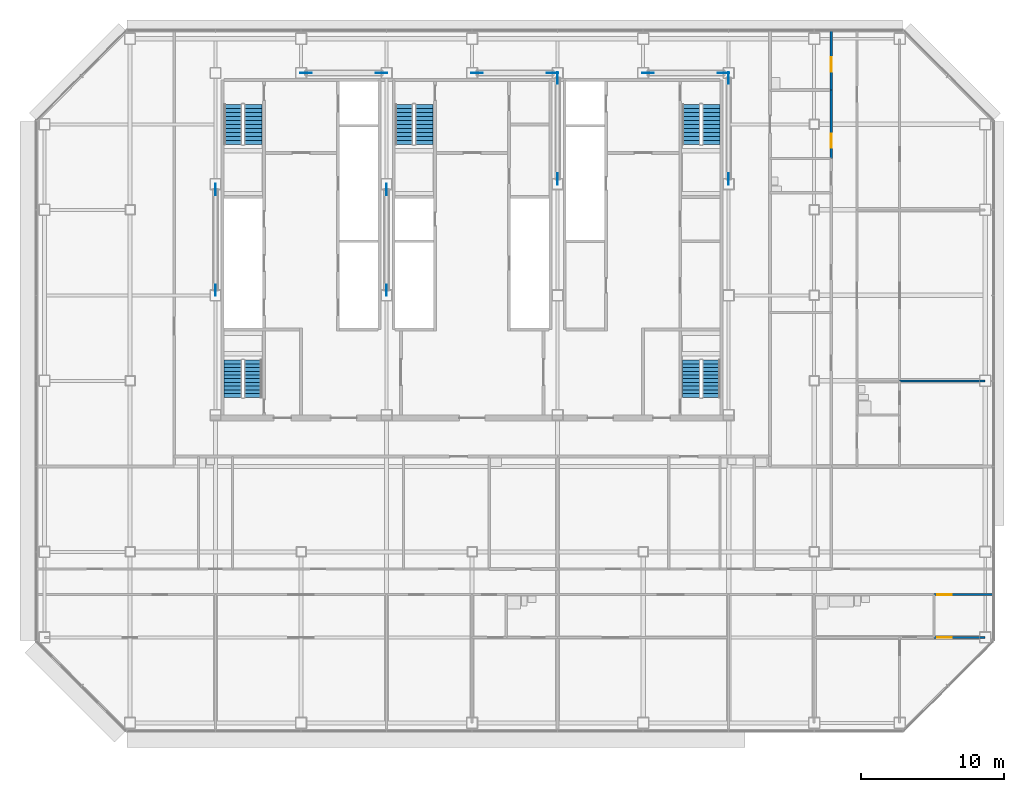
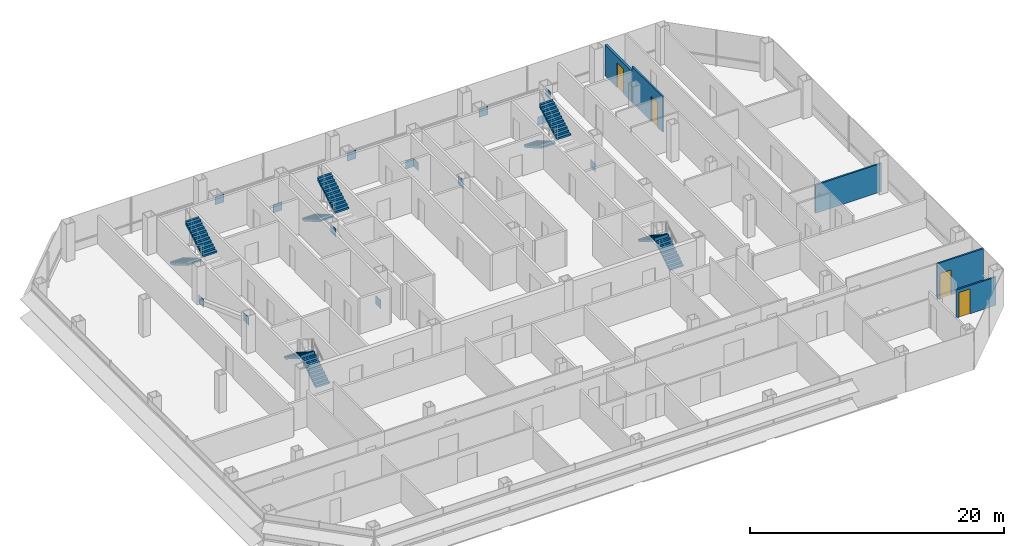
# One storey, part 23 of 25: 14 discrete accessories, 10 stair flights, 5 walls, 4 doors, 4 openings, 5 elements without a shape of their own.
"""IFC4 building model written with IfcOpenShell, lengths in metres."""

from ifc_helpers import new_model, si_unit, direction, frame, frame_2d, origin, origin_2d, place, context, subcontext, project, spatial, polyline, rectangle, outline, extrude, material, layer, layer_set, type_object, element, fill, aggregate, save


model = new_model("IFC4")

# Units and contexts
model_context = context("Model", 3, precision=1e-05, world=origin(), true_north=direction((0.0, 1.0)))
body_context = subcontext(model_context, "Body", "Model", "MODEL_VIEW")
ifc_project = project(units=[si_unit("LENGTHUNIT", "METRE"), si_unit("AREAUNIT", "SQUARE_METRE"), si_unit("VOLUMEUNIT", "CUBIC_METRE"), si_unit("PLANEANGLEUNIT", "RADIAN"), si_unit("MASSUNIT", "GRAM", prefix="KILO")], contexts=[model_context])

# Site, building, storey
site_placement = place(None, origin())
site = spatial("IfcSite", under=ifc_project, at=site_placement, CompositionType="ELEMENT")
building_placement = place(site_placement, origin())
building = spatial("IfcBuilding", under=site, at=building_placement, Name="Sorahane Residences", CompositionType="ELEMENT")
storey_placement = place(building_placement, frame((0.0, 0.0, 130.39990234375)))
storey = spatial("IfcBuildingStorey", under=building, at=storey_placement, Name="L29", CompositionType="ELEMENT", Elevation=130.39990234375)

# Wall, opening, door
ifc_material_1 = material(Name="Concrete blockwork C20 wall", Category="masonry")
ifc_layer_1 = layer(ifc_material_1, 0.199951171875)
ifc_layer_set_1 = layer_set([ifc_layer_1], Name="Kitchen wall 200 EI 180")
wall_type_1 = type_object("IfcWallType", Name="Kitchen wall 200 EI 180", PredefinedType="SOLIDWALL", material=ifc_layer_set_1)
wall_1_placement = place(storey_placement, frame((49.199951171875, 44.39990234375, 0.0), z_axis=(0.0, 0.0, 1.0), x_axis=(0.0, 1.0, 0.0)))
wall_1 = element("IfcWall", 1, at=wall_1_placement, inside=storey, type_object=wall_type_1, Name="L29 kitchen wall", PredefinedType="SOLIDWALL", context=body_context, shape_type="SweptSolid", body=[
    extrude(rectangle(XDim=4.2001953125, YDim=0.199951171875, at=frame_2d((2.10009765625, 0.0))), origin(), (0.0, 0.0, 1.0), 2.97021484375),
])
opening_1_placement = place(wall_1_placement, frame((1.300048828125, 0.0, 0.0)))
opening_1 = element("IfcOpeningElement", 2, at=opening_1_placement, cuts=wall_1, Name="Opening L29-30", PredefinedType="OPENING", context=body_context, shape_type="SweptSolid", body=[
    extrude(rectangle(XDim=1.0, YDim=2.39990234375, at=frame_2d((0.5, 1.199951171875))), frame((0.0, 0.10986328125, 0.0), z_axis=(0.0, -1.0, 0.0), x_axis=(1.0, 0.0, 0.0)), (0.0, 0.0, 1.0), 0.219970703125),
])
ifc_material_2 = material(Name="Steel", Category="steel")
door_type_1 = type_object("IfcDoorType", Name="Kitchen door 1000x2400 FD120", OperationType="NOTDEFINED", PredefinedType="DOOR", material=ifc_material_2)
door_1_placement = place(opening_1_placement, origin())
door_1 = element("IfcDoor", 3, at=door_1_placement, inside=storey, type_object=door_type_1, Name="Kitchen door L29-30", OperationType="SINGLE_SWING_LEFT", OverallHeight=2.39990234375, OverallWidth=1.0, PredefinedType="DOOR", context=body_context, shape_type="SweptSolid", body=[
    extrude(rectangle(XDim=1.0, YDim=2.39990234375, at=frame_2d((0.5, 1.199951171875))), frame((0.0, 0.02490234375, 0.0), z_axis=(0.0, -1.0, 0.0), x_axis=(1.0, 0.0, 0.0)), (0.0, 0.0, 1.0), 0.050048828125),
])
fill(opening_1, door_1)

ifc_material_3 = material(Name="Gypsum board partition on steel studs", Category="steel")
ifc_layer_2 = layer(ifc_material_3, 0.14990234375)
ifc_layer_set_2 = layer_set([ifc_layer_2], Name="Partition 150 EI 90")
wall_type_2 = type_object("IfcWallType", Name="Partition 150 EI 90", PredefinedType="PARTITIONING", material=ifc_layer_set_2)
wall_2_placement = place(storey_placement, frame((49.199951171875, 39.60009765625, 0.0), z_axis=(0.0, 0.0, 1.0), x_axis=(0.0, 1.0, 0.0)))
wall_2 = element("IfcWall", 4, at=wall_2_placement, inside=storey, type_object=wall_type_2, Name="L29 partition", PredefinedType="PARTITIONING", context=body_context, shape_type="SweptSolid", body=[
    extrude(rectangle(XDim=4.7998046875, YDim=0.14990234375, at=frame_2d((2.39990234375, 0.0))), origin(), (0.0, 0.0, 1.0), 3.420166015625),
])
opening_2_placement = place(wall_2_placement, frame((0.739990234375, 0.0, 0.0)))
opening_2 = element("IfcOpeningElement", 5, at=opening_2_placement, cuts=wall_2, Name="Opening L29-26", PredefinedType="OPENING", context=body_context, shape_type="SweptSolid", body=[
    extrude(rectangle(XDim=1.0, YDim=2.39990234375, at=frame_2d((0.5, 1.199951171875))), frame((0.0, 0.0849609375, 0.0), z_axis=(0.0, -1.0, 0.0), x_axis=(1.0, 0.0, 0.0)), (0.0, 0.0, 1.0), 0.169921875),
])
ifc_material_4 = material(Name="Timber veneered fire door", Category="wood")
door_type_2 = type_object("IfcDoorType", Name="Room door 1000x2400 FD30", OperationType="NOTDEFINED", PredefinedType="DOOR", material=ifc_material_4)
door_2_placement = place(opening_2_placement, frame((1.0, 0.0, 0.0), z_axis=(0.0, 0.0, 1.0), x_axis=(-1.0, 0.0, 0.0)))
door_2 = element("IfcDoor", 6, at=door_2_placement, inside=storey, type_object=door_type_2, Name="Room door L29-26", OperationType="SINGLE_SWING_LEFT", OverallHeight=2.39990234375, OverallWidth=1.0, PredefinedType="DOOR", context=body_context, shape_type="SweptSolid", body=[
    extrude(rectangle(XDim=1.0, YDim=2.39990234375, at=frame_2d((0.5, 1.199951171875))), frame((0.0, 0.02490234375, 0.0), z_axis=(0.0, -1.0, 0.0), x_axis=(1.0, 0.0, 0.0)), (0.0, 0.0, 1.0), 0.050048828125),
])
fill(opening_2, door_2)

# Wall
wall_3_placement = place(storey_placement, frame((54.0, 24.0, 0.0), z_axis=(0.0, 0.0, 1.0), x_axis=(1.0, 0.0, 0.0)))
element("IfcWall", 7, at=wall_3_placement, inside=storey, type_object=wall_type_2, Name="L29 partition", PredefinedType="PARTITIONING", context=body_context, shape_type="SweptSolid", body=[
    extrude(rectangle(XDim=6.0, YDim=0.14990234375, at=frame_2d((3.0, 0.0))), origin(), (0.0, 0.0, 1.0), 2.72021484375),
])

# Wall, opening, door
wall_4_placement = place(storey_placement, frame((56.39990234375, 6.0, 0.0), z_axis=(0.0, 0.0, 1.0), x_axis=(1.0, 0.0, 0.0)))
wall_4 = element("IfcWall", 8, at=wall_4_placement, inside=storey, type_object=wall_type_2, Name="L29 partition", PredefinedType="PARTITIONING", context=body_context, shape_type="SweptSolid", body=[
    extrude(rectangle(XDim=3.60009765625, YDim=0.14990234375, at=frame_2d((1.800048828125, 0.0))), origin(), (0.0, 0.0, 1.0), 2.72021484375),
])
opening_3_placement = place(wall_4_placement, frame((0.25, 0.0, 0.0)))
opening_3 = element("IfcOpeningElement", 9, at=opening_3_placement, cuts=wall_4, Name="Opening L29-23", PredefinedType="OPENING", context=body_context, shape_type="SweptSolid", body=[
    extrude(rectangle(XDim=1.0, YDim=2.39990234375, at=frame_2d((0.5, 1.199951171875))), frame((0.0, 0.0849609375, 0.0), z_axis=(0.0, -1.0, 0.0), x_axis=(1.0, 0.0, 0.0)), (0.0, 0.0, 1.0), 0.169921875),
])
door_3_placement = place(opening_3_placement, frame((1.0, 0.0, 0.0), z_axis=(0.0, 0.0, 1.0), x_axis=(-1.0, 0.0, 0.0)))
door_3 = element("IfcDoor", 10, at=door_3_placement, inside=storey, type_object=door_type_2, Name="Room door L29-23", OperationType="SINGLE_SWING_LEFT", OverallHeight=2.39990234375, OverallWidth=1.0, PredefinedType="DOOR", context=body_context, shape_type="SweptSolid", body=[
    extrude(rectangle(XDim=1.0, YDim=2.39990234375, at=frame_2d((0.5, 1.199951171875))), frame((0.0, 0.02490234375, 0.0), z_axis=(0.0, -1.0, 0.0), x_axis=(1.0, 0.0, 0.0)), (0.0, 0.0, 1.0), 0.050048828125),
])
fill(opening_3, door_3)

wall_5_placement = place(storey_placement, frame((56.39990234375, 9.0, 0.0), z_axis=(0.0, 0.0, 1.0), x_axis=(1.0, 0.0, 0.0)))
wall_5 = element("IfcWall", 11, at=wall_5_placement, inside=storey, type_object=wall_type_2, Name="L29 partition", PredefinedType="PARTITIONING", context=body_context, shape_type="SweptSolid", body=[
    extrude(rectangle(XDim=4.2001953125, YDim=0.14990234375, at=frame_2d((2.10009765625, 0.0))), origin(), (0.0, 0.0, 1.0), 3.420166015625),
])
opening_4_placement = place(wall_5_placement, frame((0.25, 0.0, 0.0)))
opening_4 = element("IfcOpeningElement", 12, at=opening_4_placement, cuts=wall_5, Name="Opening L29-21", PredefinedType="OPENING", context=body_context, shape_type="SweptSolid", body=[
    extrude(rectangle(XDim=1.0, YDim=2.39990234375, at=frame_2d((0.5, 1.199951171875))), frame((0.0, 0.0849609375, 0.0), z_axis=(0.0, -1.0, 0.0), x_axis=(1.0, 0.0, 0.0)), (0.0, 0.0, 1.0), 0.169921875),
])
door_4_placement = place(opening_4_placement, frame((1.0, 0.0, 0.0), z_axis=(0.0, 0.0, 1.0), x_axis=(-1.0, 0.0, 0.0)))
door_4 = element("IfcDoor", 13, at=door_4_placement, inside=storey, type_object=door_type_2, Name="Room door L29-21", OperationType="SINGLE_SWING_LEFT", OverallHeight=2.39990234375, OverallWidth=1.0, PredefinedType="DOOR", context=body_context, shape_type="SweptSolid", body=[
    extrude(rectangle(XDim=1.0, YDim=2.39990234375, at=frame_2d((0.5, 1.199951171875))), frame((0.0, 0.02490234375, 0.0), z_axis=(0.0, -1.0, 0.0), x_axis=(1.0, 0.0, 0.0)), (0.0, 0.0, 1.0), 0.050048828125),
])
fill(opening_4, door_4)

# Stair, stair flights
ifc_material_5 = material(Name="Concrete C40", Category="concrete")
stair_type = type_object("IfcStairType", Name="Dog-leg stair 1250 Concrete C40", PredefinedType="HALF_TURN_STAIR", material=ifc_material_5)
stair_1_placement = place(storey_placement, origin())
stair_1 = element("IfcStair", 14, at=stair_1_placement, inside=storey, type_object=stair_type, Name="L29 Stair S1", PredefinedType="HALF_TURN_STAIR")
ifc_material_6 = material(Name="Concrete C40", Category="concrete")
stair_flight_type = type_object("IfcStairFlightType", Name="Stair flight 1250 Concrete C40", PredefinedType="STRAIGHT", material=ifc_material_6)
stair_flight_1_placement = place(storey_placement, frame((7.22509765625, 43.39990234375, 0.0), z_axis=(0.0, 0.0, 1.0), x_axis=(0.0, -1.0, 0.0)))
stair_flight_1 = element("IfcStairFlight", 15, at=stair_flight_1_placement, type_object=stair_flight_type, Name="S1 flight 1", NumberOfRisers=11, NumberOfTreads=10, PredefinedType="STRAIGHT", RiserHeight=0.163636364, TreadLength=0.28, context=body_context, shape_type="SweptSolid", body=[
    extrude(outline(polyline([(-0.00146484375, 0.0), (-0.00146484375, 0.16357421875), (0.0, 0.16357421875), (0.280029296875, 0.16357421875), (0.280029296875, 0.327392578125), (0.56005859375, 0.327392578125), (0.56005859375, 0.490966796875), (0.840087890625, 0.490966796875), (0.840087890625, 0.654541015625), (1.1201171875, 0.654541015625), (1.1201171875, 0.818115234375), (1.39990234375, 0.818115234375), (1.39990234375, 0.98193359375), (1.679931640625, 0.98193359375), (1.679931640625, 1.1455078125), (1.9599609375, 1.1455078125), (1.9599609375, 1.30908203125), (2.239990234375, 1.30908203125), (2.239990234375, 1.47265625), (2.52001953125, 1.47265625), (2.52001953125, 1.636474609375), (2.800048828125, 1.636474609375), (2.800048828125, 1.800048828125), (2.800048828125, 1.462646484375), (2.59130859375, 1.3408203125), (2.3828125, 1.218994140625), (2.17431640625, 1.09716796875), (1.965576171875, 0.97509765625), (1.757080078125, 0.853271484375), (1.548583984375, 0.7314453125), (1.340087890625, 0.609375), (1.13134765625, 0.487548828125), (0.9228515625, 0.36572265625), (0.71435546875, 0.243896484375), (0.505615234375, 0.121826171875), (0.297119140625, 0.0), (-0.00146484375, 0.0)])), frame((0.0, 0.625, 0.0), z_axis=(0.0, -1.0, 0.0), x_axis=(1.0, 0.0, 0.0)), (0.0, 0.0, 1.0), 1.25),
])
stair_flight_2_placement = place(storey_placement, frame((8.625, 40.60009765625, 1.800048828125), z_axis=(0.0, 0.0, 1.0), x_axis=(0.0, 1.0, 0.0)))
stair_flight_2 = element("IfcStairFlight", 16, at=stair_flight_2_placement, type_object=stair_flight_type, Name="S1 flight 2", NumberOfRisers=11, NumberOfTreads=10, PredefinedType="STRAIGHT", RiserHeight=0.163636364, TreadLength=0.28, context=body_context, shape_type="SweptSolid", body=[
    extrude(outline(polyline([(0.0, 0.0), (0.0, 0.16357421875), (0.280029296875, 0.16357421875), (0.280029296875, 0.327392578125), (0.56005859375, 0.327392578125), (0.56005859375, 0.490966796875), (0.840087890625, 0.490966796875), (0.840087890625, 0.654541015625), (1.1201171875, 0.654541015625), (1.1201171875, 0.818115234375), (1.39990234375, 0.818115234375), (1.39990234375, 0.98193359375), (1.679931640625, 0.98193359375), (1.679931640625, 1.1455078125), (1.9599609375, 1.1455078125), (1.9599609375, 1.30908203125), (2.239990234375, 1.30908203125), (2.239990234375, 1.47265625), (2.52001953125, 1.47265625), (2.52001953125, 1.636474609375), (2.800048828125, 1.636474609375), (2.800048828125, 1.800048828125), (2.801513671875, 1.800048828125), (2.801513671875, 1.462646484375), (2.5927734375, 1.3408203125), (2.384033203125, 1.218994140625), (2.17529296875, 1.09716796875), (1.966796875, 0.97509765625), (1.758056640625, 0.853271484375), (1.54931640625, 0.7314453125), (1.340576171875, 0.609375), (1.1318359375, 0.487548828125), (0.923095703125, 0.36572265625), (0.714599609375, 0.243896484375), (0.505859375, 0.121826171875), (0.297119140625, 0.0), (0.0, 0.0)])), frame((0.0, 0.625, 0.0), z_axis=(0.0, -1.0, 0.0), x_axis=(1.0, 0.0, 0.0)), (0.0, 0.0, 1.0), 1.25),
])
aggregate(stair_1, [stair_flight_1, stair_flight_2])

stair_2_placement = place(storey_placement, origin())
stair_2 = element("IfcStair", 17, at=stair_2_placement, inside=storey, type_object=stair_type, Name="L29 Stair S2", PredefinedType="HALF_TURN_STAIR")
stair_flight_3_placement = place(storey_placement, frame((39.375, 43.39990234375, 0.0), z_axis=(0.0, 0.0, 1.0), x_axis=(0.0, -1.0, 0.0)))
stair_flight_3 = element("IfcStairFlight", 18, at=stair_flight_3_placement, type_object=stair_flight_type, Name="S2 flight 1", NumberOfRisers=11, NumberOfTreads=10, PredefinedType="STRAIGHT", RiserHeight=0.163636364, TreadLength=0.28, context=body_context, shape_type="SweptSolid", body=[
    extrude(outline(polyline([(-0.00146484375, 0.0), (-0.00146484375, 0.16357421875), (0.0, 0.16357421875), (0.280029296875, 0.16357421875), (0.280029296875, 0.327392578125), (0.56005859375, 0.327392578125), (0.56005859375, 0.490966796875), (0.840087890625, 0.490966796875), (0.840087890625, 0.654541015625), (1.1201171875, 0.654541015625), (1.1201171875, 0.818115234375), (1.39990234375, 0.818115234375), (1.39990234375, 0.98193359375), (1.679931640625, 0.98193359375), (1.679931640625, 1.1455078125), (1.9599609375, 1.1455078125), (1.9599609375, 1.30908203125), (2.239990234375, 1.30908203125), (2.239990234375, 1.47265625), (2.52001953125, 1.47265625), (2.52001953125, 1.636474609375), (2.800048828125, 1.636474609375), (2.800048828125, 1.800048828125), (2.800048828125, 1.462646484375), (2.59130859375, 1.3408203125), (2.3828125, 1.218994140625), (2.17431640625, 1.09716796875), (1.965576171875, 0.97509765625), (1.757080078125, 0.853271484375), (1.548583984375, 0.7314453125), (1.340087890625, 0.609375), (1.13134765625, 0.487548828125), (0.9228515625, 0.36572265625), (0.71435546875, 0.243896484375), (0.505615234375, 0.121826171875), (0.297119140625, 0.0), (-0.00146484375, 0.0)])), frame((0.0, 0.625, 0.0), z_axis=(0.0, -1.0, 0.0), x_axis=(1.0, 0.0, 0.0)), (0.0, 0.0, 1.0), 1.25),
])
stair_flight_4_placement = place(storey_placement, frame((40.77490234375, 40.60009765625, 1.800048828125), z_axis=(0.0, 0.0, 1.0), x_axis=(0.0, 1.0, 0.0)))
stair_flight_4 = element("IfcStairFlight", 19, at=stair_flight_4_placement, type_object=stair_flight_type, Name="S2 flight 2", NumberOfRisers=11, NumberOfTreads=10, PredefinedType="STRAIGHT", RiserHeight=0.163636364, TreadLength=0.28, context=body_context, shape_type="SweptSolid", body=[
    extrude(outline(polyline([(0.0, 0.0), (0.0, 0.16357421875), (0.280029296875, 0.16357421875), (0.280029296875, 0.327392578125), (0.56005859375, 0.327392578125), (0.56005859375, 0.490966796875), (0.840087890625, 0.490966796875), (0.840087890625, 0.654541015625), (1.1201171875, 0.654541015625), (1.1201171875, 0.818115234375), (1.39990234375, 0.818115234375), (1.39990234375, 0.98193359375), (1.679931640625, 0.98193359375), (1.679931640625, 1.1455078125), (1.9599609375, 1.1455078125), (1.9599609375, 1.30908203125), (2.239990234375, 1.30908203125), (2.239990234375, 1.47265625), (2.52001953125, 1.47265625), (2.52001953125, 1.636474609375), (2.800048828125, 1.636474609375), (2.800048828125, 1.800048828125), (2.801513671875, 1.800048828125), (2.801513671875, 1.462646484375), (2.5927734375, 1.3408203125), (2.384033203125, 1.218994140625), (2.17529296875, 1.09716796875), (1.966796875, 0.97509765625), (1.758056640625, 0.853271484375), (1.54931640625, 0.7314453125), (1.340576171875, 0.609375), (1.1318359375, 0.487548828125), (0.923095703125, 0.36572265625), (0.714599609375, 0.243896484375), (0.505859375, 0.121826171875), (0.297119140625, 0.0), (0.0, 0.0)])), frame((0.0, 0.625, 0.0), z_axis=(0.0, -1.0, 0.0), x_axis=(1.0, 0.0, 0.0)), (0.0, 0.0, 1.0), 1.25),
])
aggregate(stair_2, [stair_flight_3, stair_flight_4])

stair_3_placement = place(storey_placement, origin())
stair_3 = element("IfcStair", 20, at=stair_3_placement, inside=storey, type_object=stair_type, Name="L29 Stair S3", PredefinedType="HALF_TURN_STAIR")
stair_flight_5_placement = place(storey_placement, frame((19.22509765625, 43.39990234375, 0.0), z_axis=(0.0, 0.0, 1.0), x_axis=(0.0, -1.0, 0.0)))
stair_flight_5 = element("IfcStairFlight", 21, at=stair_flight_5_placement, type_object=stair_flight_type, Name="S3 flight 1", NumberOfRisers=11, NumberOfTreads=10, PredefinedType="STRAIGHT", RiserHeight=0.163636364, TreadLength=0.28, context=body_context, shape_type="SweptSolid", body=[
    extrude(outline(polyline([(-0.00146484375, 0.0), (-0.00146484375, 0.16357421875), (0.0, 0.16357421875), (0.280029296875, 0.16357421875), (0.280029296875, 0.327392578125), (0.56005859375, 0.327392578125), (0.56005859375, 0.490966796875), (0.840087890625, 0.490966796875), (0.840087890625, 0.654541015625), (1.1201171875, 0.654541015625), (1.1201171875, 0.818115234375), (1.39990234375, 0.818115234375), (1.39990234375, 0.98193359375), (1.679931640625, 0.98193359375), (1.679931640625, 1.1455078125), (1.9599609375, 1.1455078125), (1.9599609375, 1.30908203125), (2.239990234375, 1.30908203125), (2.239990234375, 1.47265625), (2.52001953125, 1.47265625), (2.52001953125, 1.636474609375), (2.800048828125, 1.636474609375), (2.800048828125, 1.800048828125), (2.800048828125, 1.462646484375), (2.59130859375, 1.3408203125), (2.3828125, 1.218994140625), (2.17431640625, 1.09716796875), (1.965576171875, 0.97509765625), (1.757080078125, 0.853271484375), (1.548583984375, 0.7314453125), (1.340087890625, 0.609375), (1.13134765625, 0.487548828125), (0.9228515625, 0.36572265625), (0.71435546875, 0.243896484375), (0.505615234375, 0.121826171875), (0.297119140625, 0.0), (-0.00146484375, 0.0)])), frame((0.0, 0.625, 0.0), z_axis=(0.0, -1.0, 0.0), x_axis=(1.0, 0.0, 0.0)), (0.0, 0.0, 1.0), 1.25),
])
stair_flight_6_placement = place(storey_placement, frame((20.625, 40.60009765625, 1.800048828125), z_axis=(0.0, 0.0, 1.0), x_axis=(0.0, 1.0, 0.0)))
stair_flight_6 = element("IfcStairFlight", 22, at=stair_flight_6_placement, type_object=stair_flight_type, Name="S3 flight 2", NumberOfRisers=11, NumberOfTreads=10, PredefinedType="STRAIGHT", RiserHeight=0.163636364, TreadLength=0.28, context=body_context, shape_type="SweptSolid", body=[
    extrude(outline(polyline([(0.0, 0.0), (0.0, 0.16357421875), (0.280029296875, 0.16357421875), (0.280029296875, 0.327392578125), (0.56005859375, 0.327392578125), (0.56005859375, 0.490966796875), (0.840087890625, 0.490966796875), (0.840087890625, 0.654541015625), (1.1201171875, 0.654541015625), (1.1201171875, 0.818115234375), (1.39990234375, 0.818115234375), (1.39990234375, 0.98193359375), (1.679931640625, 0.98193359375), (1.679931640625, 1.1455078125), (1.9599609375, 1.1455078125), (1.9599609375, 1.30908203125), (2.239990234375, 1.30908203125), (2.239990234375, 1.47265625), (2.52001953125, 1.47265625), (2.52001953125, 1.636474609375), (2.800048828125, 1.636474609375), (2.800048828125, 1.800048828125), (2.801513671875, 1.800048828125), (2.801513671875, 1.462646484375), (2.5927734375, 1.3408203125), (2.384033203125, 1.218994140625), (2.17529296875, 1.09716796875), (1.966796875, 0.97509765625), (1.758056640625, 0.853271484375), (1.54931640625, 0.7314453125), (1.340576171875, 0.609375), (1.1318359375, 0.487548828125), (0.923095703125, 0.36572265625), (0.714599609375, 0.243896484375), (0.505859375, 0.121826171875), (0.297119140625, 0.0), (0.0, 0.0)])), frame((0.0, 0.625, 0.0), z_axis=(0.0, -1.0, 0.0), x_axis=(1.0, 0.0, 0.0)), (0.0, 0.0, 1.0), 1.25),
])
aggregate(stair_3, [stair_flight_5, stair_flight_6])

stair_4_placement = place(storey_placement, origin())
stair_4 = element("IfcStair", 23, at=stair_4_placement, inside=storey, type_object=stair_type, Name="L29 Stair S4", PredefinedType="HALF_TURN_STAIR")
stair_flight_7_placement = place(storey_placement, frame((8.625, 22.85009765625, 0.0), z_axis=(0.0, 0.0, 1.0), x_axis=(0.0, 1.0, 0.0)))
stair_flight_7 = element("IfcStairFlight", 24, at=stair_flight_7_placement, type_object=stair_flight_type, Name="S4 flight 1", NumberOfRisers=11, NumberOfTreads=10, PredefinedType="STRAIGHT", RiserHeight=0.163636364, TreadLength=0.26, context=body_context, shape_type="SweptSolid", body=[
    extrude(outline(polyline([(-0.00146484375, 0.0), (-0.00146484375, 0.16357421875), (0.0, 0.16357421875), (0.260009765625, 0.16357421875), (0.260009765625, 0.327392578125), (0.52001953125, 0.327392578125), (0.52001953125, 0.490966796875), (0.780029296875, 0.490966796875), (0.780029296875, 0.654541015625), (1.0400390625, 0.654541015625), (1.0400390625, 0.818115234375), (1.300048828125, 0.818115234375), (1.300048828125, 0.98193359375), (1.56005859375, 0.98193359375), (1.56005859375, 1.1455078125), (1.820068359375, 1.1455078125), (1.820068359375, 1.30908203125), (2.080078125, 1.30908203125), (2.080078125, 1.47265625), (2.340087890625, 1.47265625), (2.340087890625, 1.636474609375), (2.60009765625, 1.636474609375), (2.60009765625, 1.800048828125), (2.60009765625, 1.494384765625), (2.402099609375, 1.369873046875), (2.204345703125, 1.245361328125), (2.00634765625, 1.120849609375), (1.80859375, 0.996337890625), (1.610595703125, 0.871826171875), (1.412841796875, 0.747314453125), (1.21484375, 0.622802734375), (1.01708984375, 0.498046875), (0.819091796875, 0.37353515625), (0.621337890625, 0.2490234375), (0.42333984375, 0.12451171875), (0.2255859375, 0.0), (-0.00146484375, 0.0)])), frame((0.0, 0.625, 0.0), z_axis=(0.0, -1.0, 0.0), x_axis=(1.0, 0.0, 0.0)), (0.0, 0.0, 1.0), 1.25),
])
stair_flight_8_placement = place(storey_placement, frame((7.22509765625, 25.449951171875, 1.800048828125), z_axis=(0.0, 0.0, 1.0), x_axis=(0.0, -1.0, 0.0)))
stair_flight_8 = element("IfcStairFlight", 25, at=stair_flight_8_placement, type_object=stair_flight_type, Name="S4 flight 2", NumberOfRisers=11, NumberOfTreads=10, PredefinedType="STRAIGHT", RiserHeight=0.163636364, TreadLength=0.26, context=body_context, shape_type="SweptSolid", body=[
    extrude(outline(polyline([(0.0, 0.0), (0.0, 0.16357421875), (0.260009765625, 0.16357421875), (0.260009765625, 0.327392578125), (0.52001953125, 0.327392578125), (0.52001953125, 0.490966796875), (0.780029296875, 0.490966796875), (0.780029296875, 0.654541015625), (1.0400390625, 0.654541015625), (1.0400390625, 0.818115234375), (1.300048828125, 0.818115234375), (1.300048828125, 0.98193359375), (1.56005859375, 0.98193359375), (1.56005859375, 1.1455078125), (1.820068359375, 1.1455078125), (1.820068359375, 1.30908203125), (2.080078125, 1.30908203125), (2.080078125, 1.47265625), (2.340087890625, 1.47265625), (2.340087890625, 1.636474609375), (2.60009765625, 1.636474609375), (2.60009765625, 1.800048828125), (2.6015625, 1.800048828125), (2.6015625, 1.494384765625), (2.403564453125, 1.369873046875), (2.20556640625, 1.245361328125), (2.007568359375, 1.120849609375), (1.8095703125, 0.996337890625), (1.611572265625, 0.871826171875), (1.41357421875, 0.747314453125), (1.215576171875, 0.622802734375), (1.017578125, 0.498046875), (0.819580078125, 0.37353515625), (0.62158203125, 0.2490234375), (0.423583984375, 0.12451171875), (0.2255859375, 0.0), (0.0, 0.0)])), frame((0.0, 0.625, 0.0), z_axis=(0.0, -1.0, 0.0), x_axis=(1.0, 0.0, 0.0)), (0.0, 0.0, 1.0), 1.25),
])
aggregate(stair_4, [stair_flight_7, stair_flight_8])

stair_5_placement = place(storey_placement, origin())
stair_5 = element("IfcStair", 26, at=stair_5_placement, inside=storey, type_object=stair_type, Name="L29 Stair S5", PredefinedType="HALF_TURN_STAIR")
stair_flight_9_placement = place(storey_placement, frame((40.77490234375, 22.85009765625, 0.0), z_axis=(0.0, 0.0, 1.0), x_axis=(0.0, 1.0, 0.0)))
stair_flight_9 = element("IfcStairFlight", 27, at=stair_flight_9_placement, type_object=stair_flight_type, Name="S5 flight 1", NumberOfRisers=11, NumberOfTreads=10, PredefinedType="STRAIGHT", RiserHeight=0.163636364, TreadLength=0.26, context=body_context, shape_type="SweptSolid", body=[
    extrude(outline(polyline([(-0.00146484375, 0.0), (-0.00146484375, 0.16357421875), (0.0, 0.16357421875), (0.260009765625, 0.16357421875), (0.260009765625, 0.327392578125), (0.52001953125, 0.327392578125), (0.52001953125, 0.490966796875), (0.780029296875, 0.490966796875), (0.780029296875, 0.654541015625), (1.0400390625, 0.654541015625), (1.0400390625, 0.818115234375), (1.300048828125, 0.818115234375), (1.300048828125, 0.98193359375), (1.56005859375, 0.98193359375), (1.56005859375, 1.1455078125), (1.820068359375, 1.1455078125), (1.820068359375, 1.30908203125), (2.080078125, 1.30908203125), (2.080078125, 1.47265625), (2.340087890625, 1.47265625), (2.340087890625, 1.636474609375), (2.60009765625, 1.636474609375), (2.60009765625, 1.800048828125), (2.60009765625, 1.494384765625), (2.402099609375, 1.369873046875), (2.204345703125, 1.245361328125), (2.00634765625, 1.120849609375), (1.80859375, 0.996337890625), (1.610595703125, 0.871826171875), (1.412841796875, 0.747314453125), (1.21484375, 0.622802734375), (1.01708984375, 0.498046875), (0.819091796875, 0.37353515625), (0.621337890625, 0.2490234375), (0.42333984375, 0.12451171875), (0.2255859375, 0.0), (-0.00146484375, 0.0)])), frame((0.0, 0.625, 0.0), z_axis=(0.0, -1.0, 0.0), x_axis=(1.0, 0.0, 0.0)), (0.0, 0.0, 1.0), 1.25),
])
stair_flight_10_placement = place(storey_placement, frame((39.375, 25.449951171875, 1.800048828125), z_axis=(0.0, 0.0, 1.0), x_axis=(0.0, -1.0, 0.0)))
stair_flight_10 = element("IfcStairFlight", 28, at=stair_flight_10_placement, type_object=stair_flight_type, Name="S5 flight 2", NumberOfRisers=11, NumberOfTreads=10, PredefinedType="STRAIGHT", RiserHeight=0.163636364, TreadLength=0.26, context=body_context, shape_type="SweptSolid", body=[
    extrude(outline(polyline([(0.0, 0.0), (0.0, 0.16357421875), (0.260009765625, 0.16357421875), (0.260009765625, 0.327392578125), (0.52001953125, 0.327392578125), (0.52001953125, 0.490966796875), (0.780029296875, 0.490966796875), (0.780029296875, 0.654541015625), (1.0400390625, 0.654541015625), (1.0400390625, 0.818115234375), (1.300048828125, 0.818115234375), (1.300048828125, 0.98193359375), (1.56005859375, 0.98193359375), (1.56005859375, 1.1455078125), (1.820068359375, 1.1455078125), (1.820068359375, 1.30908203125), (2.080078125, 1.30908203125), (2.080078125, 1.47265625), (2.340087890625, 1.47265625), (2.340087890625, 1.636474609375), (2.60009765625, 1.636474609375), (2.60009765625, 1.800048828125), (2.6015625, 1.800048828125), (2.6015625, 1.494384765625), (2.403564453125, 1.369873046875), (2.20556640625, 1.245361328125), (2.007568359375, 1.120849609375), (1.8095703125, 0.996337890625), (1.611572265625, 0.871826171875), (1.41357421875, 0.747314453125), (1.215576171875, 0.622802734375), (1.017578125, 0.498046875), (0.819580078125, 0.37353515625), (0.62158203125, 0.2490234375), (0.423583984375, 0.12451171875), (0.2255859375, 0.0), (0.0, 0.0)])), frame((0.0, 0.625, 0.0), z_axis=(0.0, -1.0, 0.0), x_axis=(1.0, 0.0, 0.0)), (0.0, 0.0, 1.0), 1.25),
])
aggregate(stair_5, [stair_flight_9, stair_flight_10])

# Discrete accessories
ifc_material_7 = material(Name="Steel Q355B", Category="steel")
ifc_layer_3 = layer(ifc_material_7, 0.02490234375)
ifc_layer_set_3 = layer_set([ifc_layer_3], Name="Node plate Steel Q355B 25")
discrete_accessory_type = type_object("IfcDiscreteAccessoryType", Name="Node plate Steel Q355B 25", PredefinedType="BRACKET", material=ifc_layer_set_3)
for number, where, z_axis, x_axis, name in (
    (29, (6.0, 37.44140625, -0.21533203125), (0.0, 0.0, 1.0), (0.0, 1.0, 0.0), "Node plate L29 br"),
    (30, (6.0, 30.358642578125, 2.38525390625), (0.0, 0.0, 1.0), (0.0, 1.0, 0.0), "Node plate L29 br"),
    (31, (18.0, 30.358642578125, -0.21533203125), (0.0, 0.0, 1.0), (0.0, 1.0, 0.0), "Node plate L29 br"),
    (32, (18.0, 37.44140625, 2.38525390625), (0.0, 0.0, 1.0), (0.0, 1.0, 0.0), "Node plate L29 br"),
    (33, (30.0, 45.241455078125, -0.21533203125), (0.0, 0.0, 1.0), (0.0, 1.0, 0.0), "Node plate L29 br"),
    (34, (30.0, 38.15869140625, 2.38525390625), (0.0, 0.0, 1.0), (0.0, 1.0, 0.0), "Node plate L29 br"),
    (35, (42.0, 38.15869140625, -0.21533203125), (0.0, 0.0, 1.0), (0.0, 1.0, 0.0), "Node plate L29 br"),
    (36, (42.0, 45.241455078125, 2.38525390625), (0.0, 0.0, 1.0), (0.0, 1.0, 0.0), "Node plate L29 br"),
    (37, (17.6533203125, 45.60009765625, -0.22607421875), (0.0, 0.0, 1.0), (1.0, 0.0, 0.0), "Node plate L29 br"),
    (38, (29.6533203125, 45.60009765625, -0.22607421875), (0.0, 0.0, 1.0), (1.0, 0.0, 0.0), "Node plate L29 br"),
    (39, (41.6533203125, 45.60009765625, -0.22607421875), (0.0, 0.0, 1.0), (1.0, 0.0, 0.0), "Node plate L29 br"),
    (40, (12.3466796875, 45.60009765625, 2.396484375), (0.0, 0.0, 1.0), (1.0, 0.0, 0.0), "Node plate L29 br"),
    (41, (24.3466796875, 45.60009765625, 2.396484375), (0.0, 0.0, 1.0), (1.0, 0.0, 0.0), "Node plate L29 br"),
    (42, (36.3466796875, 45.60009765625, 2.396484375), (0.0, 0.0, 1.0), (1.0, 0.0, 0.0), "Node plate L29 br"),
):
    element("IfcDiscreteAccessory", number, at=place(storey_placement, frame(where, z_axis=z_axis, x_axis=x_axis)), inside=storey, type_object=discrete_accessory_type, Name=name, PredefinedType="BRACKET", context=body_context, shape_type="SweptSolid", body=[
        extrude(rectangle(XDim=0.800048828125, YDim=0.02490234375, at=origin_2d()), origin(), (0.0, 0.0, 1.0), 0.800048828125),
    ])

save(model, "model.ifc")
